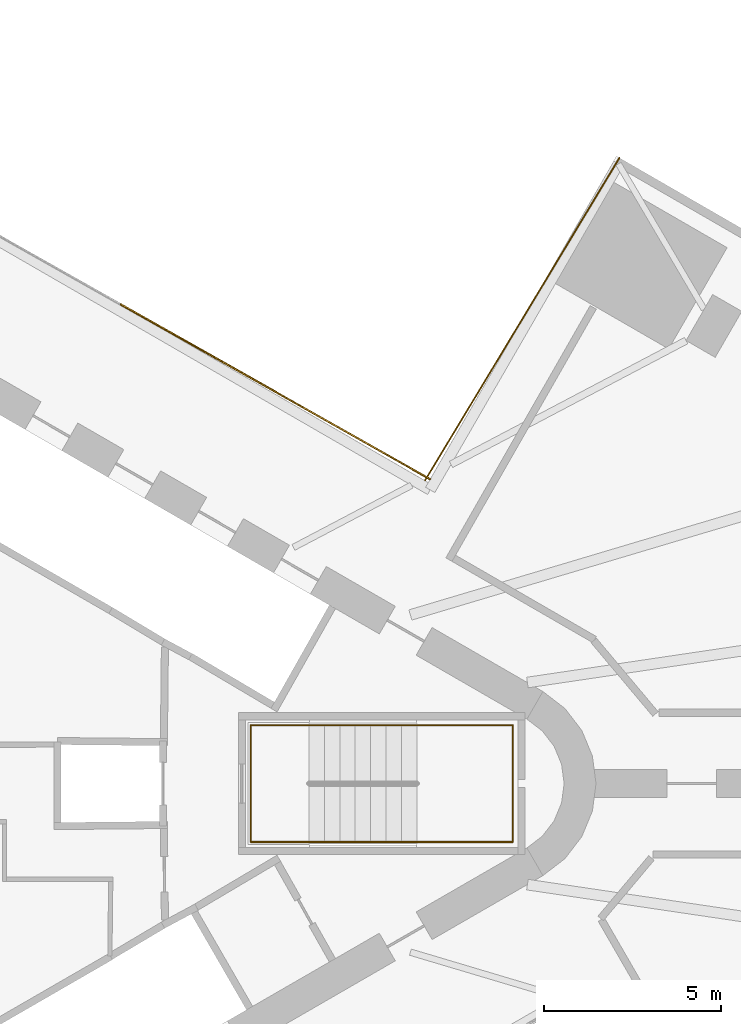
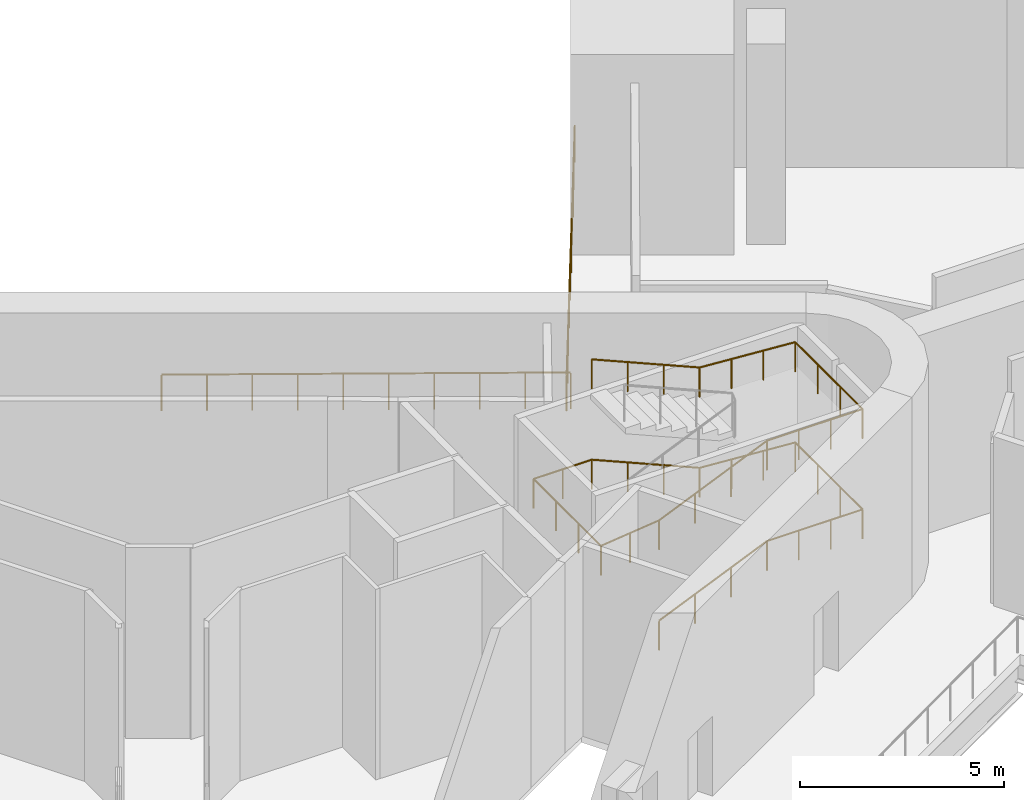
# One storey, part 11 of 11: 3 railings.
"""IFC4 building model written with IfcOpenShell, lengths in metres."""

from ifc_helpers import new_model, si_unit, direction, frame, origin, origin_2d, place, context, subcontext, project, spatial, circle, extrude, material, type_object, element, save


model = new_model("IFC4")

# Units and contexts
model_context = context("Model", 3, precision=1e-05, world=origin(), true_north=direction((0.0, 1.0)))
body_context = subcontext(model_context, "Body", "Model", "MODEL_VIEW")
ifc_project = project(units=[si_unit("LENGTHUNIT", "METRE"), si_unit("AREAUNIT", "SQUARE_METRE"), si_unit("VOLUMEUNIT", "CUBIC_METRE"), si_unit("PLANEANGLEUNIT", "RADIAN"), si_unit("MASSUNIT", "GRAM", prefix="KILO")], contexts=[model_context])

# Site, building, storey
site_placement = place(None, origin())
site = spatial("IfcSite", under=ifc_project, at=site_placement, CompositionType="ELEMENT")
building_placement = place(site_placement, origin())
building = spatial("IfcBuilding", under=site, at=building_placement, Name="Tanit Gate Tower", CompositionType="ELEMENT")
storey_placement = place(building_placement, frame((0.0, 0.0, 27.5)))
storey = spatial("IfcBuildingStorey", under=building, at=storey_placement, Name="L04", CompositionType="ELEMENT", Elevation=27.5)

# Railings
ifc_material_1 = material(Name="Stainless steel", Category="steel")
railing_type_1 = type_object("IfcRailingType", Name="Guard 1100 stainless steel balustrade", PredefinedType="GUARDRAIL", material=ifc_material_1)
railing_1_placement = place(storey_placement, frame((16.37353515625, 8.56005859375, 0.0)))
element("IfcRailing", 1, at=railing_1_placement, inside=storey, type_object=railing_type_1, Name="Tunnel edge guard L04 5", PredefinedType="GUARDRAIL", context=body_context, shape_type="SweptSolid", body=[
    extrude(circle(Radius=0.02392578125, at=origin_2d()), frame((0.0, 0.0, 1.076171875), z_axis=(0.516210356507, 0.856461830927, 0.0), x_axis=(-0.856461830927, 0.516210356507, 0.0)), (0.0, 0.0, 1.0), 10.630859375),
    extrude(circle(Radius=0.02099609375, at=origin_2d()), origin(), (0.0, 0.0, 1.0), 1.052001953125),
    extrude(circle(Radius=0.02099609375, at=origin_2d()), frame((0.60986328125, 1.01171875, 0.0)), (0.0, 0.0, 1.0), 1.052001953125),
    extrude(circle(Radius=0.02099609375, at=origin_2d()), frame((1.219482421875, 2.0234375, 0.0)), (0.0, 0.0, 1.0), 1.052001953125),
    extrude(circle(Radius=0.02099609375, at=origin_2d()), frame((1.829345703125, 3.034912109375, 0.0)), (0.0, 0.0, 1.0), 1.052001953125),
    extrude(circle(Radius=0.02099609375, at=origin_2d()), frame((2.43896484375, 4.046630859375, 0.0)), (0.0, 0.0, 1.0), 1.052001953125),
    extrude(circle(Radius=0.02099609375, at=origin_2d()), frame((3.048828125, 5.058349609375, 0.0)), (0.0, 0.0, 1.0), 1.052001953125),
    extrude(circle(Radius=0.02099609375, at=origin_2d()), frame((3.658447265625, 6.070068359375, 0.0)), (0.0, 0.0, 1.0), 1.052001953125),
    extrude(circle(Radius=0.02099609375, at=origin_2d()), frame((4.268310546875, 7.08154296875, 0.0)), (0.0, 0.0, 1.0), 1.052001953125),
    extrude(circle(Radius=0.02099609375, at=origin_2d()), frame((4.8779296875, 8.09326171875, 0.0)), (0.0, 0.0, 1.0), 1.052001953125),
    extrude(circle(Radius=0.02099609375, at=origin_2d()), frame((5.48779296875, 9.10498046875, 0.0)), (0.0, 0.0, 1.0), 1.052001953125),
])
railing_2_placement = place(storey_placement, frame((7.78271484375, 13.52685546875, 0.0)))
element("IfcRailing", 2, at=railing_2_placement, inside=storey, type_object=railing_type_1, Name="Tunnel edge guard L04 6", PredefinedType="GUARDRAIL", context=body_context, shape_type="SweptSolid", body=[
    extrude(circle(Radius=0.02392578125, at=origin_2d()), frame((0.0, 0.0, 1.076171875), z_axis=(0.870681662692, -0.491846970359, 0.0), x_axis=(0.491846970359, 0.870681662692, 0.0)), (0.0, 0.0, 1.0), 10.023681640625),
    extrude(circle(Radius=0.02099609375, at=origin_2d()), origin(), (0.0, 0.0, 1.0), 1.052001953125),
    extrude(circle(Radius=0.02099609375, at=origin_2d()), frame((0.9697265625, -0.5478515625, 0.0)), (0.0, 0.0, 1.0), 1.052001953125),
    extrude(circle(Radius=0.02099609375, at=origin_2d()), frame((1.939453125, -1.095703125, 0.0)), (0.0, 0.0, 1.0), 1.052001953125),
    extrude(circle(Radius=0.02099609375, at=origin_2d()), frame((2.9091796875, -1.643310546875, 0.0)), (0.0, 0.0, 1.0), 1.052001953125),
    extrude(circle(Radius=0.02099609375, at=origin_2d()), frame((3.87890625, -2.191162109375, 0.0)), (0.0, 0.0, 1.0), 1.052001953125),
    extrude(circle(Radius=0.02099609375, at=origin_2d()), frame((4.8486328125, -2.739013671875, 0.0)), (0.0, 0.0, 1.0), 1.052001953125),
    extrude(circle(Radius=0.02099609375, at=origin_2d()), frame((5.818359375, -3.286865234375, 0.0)), (0.0, 0.0, 1.0), 1.052001953125),
    extrude(circle(Radius=0.02099609375, at=origin_2d()), frame((6.7880859375, -3.83447265625, 0.0)), (0.0, 0.0, 1.0), 1.052001953125),
    extrude(circle(Radius=0.02099609375, at=origin_2d()), frame((7.7578125, -4.38232421875, 0.0)), (0.0, 0.0, 1.0), 1.052001953125),
    extrude(circle(Radius=0.02099609375, at=origin_2d()), frame((8.7275390625, -4.93017578125, 0.0)), (0.0, 0.0, 1.0), 1.052001953125),
])
ifc_material_2 = material(Name="Stainless steel handrail", Category="steel")
railing_type_2 = type_object("IfcRailingType", Name="INT-STAIR-HANDRAIL", PredefinedType="HANDRAIL", material=ifc_material_2)
railing_3_placement = place(storey_placement, frame((13.094970703125, -1.64990234375, 0.1875)))
element("IfcRailing", 3, at=railing_3_placement, inside=storey, type_object=railing_type_2, Name="L04 S1 stair handrail 1", PredefinedType="HANDRAIL", context=body_context, shape_type="SweptSolid", body=[
    extrude(circle(Radius=0.02392578125, at=origin_2d()), frame((0.0, 0.0, 0.8759765625), z_axis=(0.918608089886, 0.0, 0.395169808052), x_axis=(0.0, 1.0, 0.0)), (0.0, 0.0, 1.0), 3.3212890625),
    extrude(circle(Radius=0.02392578125, at=origin_2d()), frame((3.051025390625, 0.0, 2.1884765625), z_axis=(1.0, 0.0, 0.0), x_axis=(0.0, 1.0, 0.0)), (0.0, 0.0, 1.0), 2.7041015625),
    extrude(circle(Radius=0.02392578125, at=origin_2d()), frame((5.755126953125, 0.0, 2.1884765625), z_axis=(0.0, 1.0, 0.0), x_axis=(-1.0, 0.0, 0.0)), (0.0, 0.0, 1.0), 3.2998046875),
    extrude(circle(Radius=0.02392578125, at=origin_2d()), frame((5.755126953125, 3.2998046875, 2.1884765625), z_axis=(-0.997604677724, 0.0, 0.069173022074), x_axis=(0.0, -1.0, 0.0)), (0.0, 0.0, 1.0), 2.710693359375),
    extrude(circle(Radius=0.02392578125, at=origin_2d()), frame((3.051025390625, 3.2998046875, 2.3759765625), z_axis=(-0.918608089886, 0.0, 0.395169808052), x_axis=(0.0, -1.0, 0.0)), (0.0, 0.0, 1.0), 3.3212890625),
    extrude(circle(Radius=0.02392578125, at=origin_2d()), frame((0.0, 3.2998046875, 3.6884765625), z_axis=(-1.0, 0.0, 0.0), x_axis=(0.0, -1.0, 0.0)), (0.0, 0.0, 1.0), 1.64501953125),
    extrude(circle(Radius=0.02392578125, at=origin_2d()), frame((-1.64501953125, 3.2998046875, 3.6884765625), z_axis=(0.0, -1.0, 0.0), x_axis=(1.0, 0.0, 0.0)), (0.0, 0.0, 1.0), 3.2998046875),
    extrude(circle(Radius=0.02392578125, at=origin_2d()), frame((-1.64501953125, 0.0, 3.6884765625), z_axis=(0.99356684807, 0.0, 0.113247156325), x_axis=(0.0, 1.0, 0.0)), (0.0, 0.0, 1.0), 1.65576171875),
    extrude(circle(Radius=0.02392578125, at=origin_2d()), frame((0.0, 0.0, 3.8759765625), z_axis=(0.918608089886, 0.0, 0.395169808052), x_axis=(0.0, 1.0, 0.0)), (0.0, 0.0, 1.0), 3.3212890625),
    extrude(circle(Radius=0.02392578125, at=origin_2d()), frame((3.051025390625, 0.0, 5.1884765625), z_axis=(1.0, 0.0, 0.0), x_axis=(0.0, 1.0, 0.0)), (0.0, 0.0, 1.0), 2.7041015625),
    extrude(circle(Radius=0.02392578125, at=origin_2d()), frame((5.755126953125, 0.0, 5.1884765625), z_axis=(0.0, 1.0, 0.0), x_axis=(-1.0, 0.0, 0.0)), (0.0, 0.0, 1.0), 3.2998046875),
    extrude(circle(Radius=0.02392578125, at=origin_2d()), frame((5.755126953125, 3.2998046875, 5.1884765625), z_axis=(-0.997604677724, 0.0, 0.069173022074), x_axis=(0.0, -1.0, 0.0)), (0.0, 0.0, 1.0), 2.710693359375),
    extrude(circle(Radius=0.02392578125, at=origin_2d()), frame((3.051025390625, 3.2998046875, 5.3759765625), z_axis=(-0.918608089886, 0.0, 0.395169808052), x_axis=(0.0, -1.0, 0.0)), (0.0, 0.0, 1.0), 3.3212890625),
    extrude(circle(Radius=0.02099609375, at=origin_2d()), origin(), (0.0, 0.0, 1.0), 0.851806640625),
    extrude(circle(Radius=0.02099609375, at=origin_2d()), frame((1.01708984375, 0.0, 0.4375)), (0.0, 0.0, 1.0), 0.851806640625),
    extrude(circle(Radius=0.02099609375, at=origin_2d()), frame((2.033935546875, 0.0, 0.875)), (0.0, 0.0, 1.0), 0.851806640625),
    extrude(circle(Radius=0.02099609375, at=origin_2d()), frame((3.051025390625, 0.0, 1.3125)), (0.0, 0.0, 1.0), 0.851806640625),
    extrude(circle(Radius=0.02099609375, at=origin_2d()), frame((3.952392578125, 0.0, 1.3125)), (0.0, 0.0, 1.0), 0.851806640625),
    extrude(circle(Radius=0.02099609375, at=origin_2d()), frame((4.853759765625, 0.0, 1.3125)), (0.0, 0.0, 1.0), 0.851806640625),
    extrude(circle(Radius=0.02099609375, at=origin_2d()), frame((5.755126953125, 0.0, 1.3125)), (0.0, 0.0, 1.0), 0.851806640625),
    extrude(circle(Radius=0.02099609375, at=origin_2d()), frame((5.755126953125, 1.099853515625, 1.3125)), (0.0, 0.0, 1.0), 0.851806640625),
    extrude(circle(Radius=0.02099609375, at=origin_2d()), frame((5.755126953125, 2.199951171875, 1.3125)), (0.0, 0.0, 1.0), 0.851806640625),
    extrude(circle(Radius=0.02099609375, at=origin_2d()), frame((5.755126953125, 3.2998046875, 1.3125)), (0.0, 0.0, 1.0), 0.851806640625),
    extrude(circle(Radius=0.02099609375, at=origin_2d()), frame((4.853759765625, 3.2998046875, 1.375)), (0.0, 0.0, 1.0), 0.851806640625),
    extrude(circle(Radius=0.02099609375, at=origin_2d()), frame((3.952392578125, 3.2998046875, 1.4375)), (0.0, 0.0, 1.0), 0.851806640625),
    extrude(circle(Radius=0.02099609375, at=origin_2d()), frame((3.051025390625, 3.2998046875, 1.5)), (0.0, 0.0, 1.0), 0.851806640625),
    extrude(circle(Radius=0.02099609375, at=origin_2d()), frame((2.033935546875, 3.2998046875, 1.9375)), (0.0, 0.0, 1.0), 0.851806640625),
    extrude(circle(Radius=0.02099609375, at=origin_2d()), frame((1.01708984375, 3.2998046875, 2.375)), (0.0, 0.0, 1.0), 0.851806640625),
    extrude(circle(Radius=0.02099609375, at=origin_2d()), frame((0.0, 3.2998046875, 2.8125)), (0.0, 0.0, 1.0), 0.851806640625),
    extrude(circle(Radius=0.02099609375, at=origin_2d()), frame((-0.822509765625, 3.2998046875, 2.8125)), (0.0, 0.0, 1.0), 0.851806640625),
    extrude(circle(Radius=0.02099609375, at=origin_2d()), frame((-1.64501953125, 3.2998046875, 2.8125)), (0.0, 0.0, 1.0), 0.851806640625),
    extrude(circle(Radius=0.02099609375, at=origin_2d()), frame((-1.64501953125, 2.199951171875, 2.8125)), (0.0, 0.0, 1.0), 0.851806640625),
    extrude(circle(Radius=0.02099609375, at=origin_2d()), frame((-1.64501953125, 1.099853515625, 2.8125)), (0.0, 0.0, 1.0), 0.851806640625),
    extrude(circle(Radius=0.02099609375, at=origin_2d()), frame((-1.64501953125, 0.0, 2.8125)), (0.0, 0.0, 1.0), 0.851806640625),
    extrude(circle(Radius=0.02099609375, at=origin_2d()), frame((-0.822509765625, 0.0, 2.90625)), (0.0, 0.0, 1.0), 0.851806640625),
    extrude(circle(Radius=0.02099609375, at=origin_2d()), frame((0.0, 0.0, 3.0)), (0.0, 0.0, 1.0), 0.851806640625),
    extrude(circle(Radius=0.02099609375, at=origin_2d()), frame((1.01708984375, 0.0, 3.4375)), (0.0, 0.0, 1.0), 0.851806640625),
    extrude(circle(Radius=0.02099609375, at=origin_2d()), frame((2.033935546875, 0.0, 3.875)), (0.0, 0.0, 1.0), 0.851806640625),
    extrude(circle(Radius=0.02099609375, at=origin_2d()), frame((3.051025390625, 0.0, 4.3125)), (0.0, 0.0, 1.0), 0.851806640625),
    extrude(circle(Radius=0.02099609375, at=origin_2d()), frame((3.952392578125, 0.0, 4.3125)), (0.0, 0.0, 1.0), 0.851806640625),
    extrude(circle(Radius=0.02099609375, at=origin_2d()), frame((4.853759765625, 0.0, 4.3125)), (0.0, 0.0, 1.0), 0.851806640625),
    extrude(circle(Radius=0.02099609375, at=origin_2d()), frame((5.755126953125, 0.0, 4.3125)), (0.0, 0.0, 1.0), 0.851806640625),
    extrude(circle(Radius=0.02099609375, at=origin_2d()), frame((5.755126953125, 1.099853515625, 4.3125)), (0.0, 0.0, 1.0), 0.851806640625),
    extrude(circle(Radius=0.02099609375, at=origin_2d()), frame((5.755126953125, 2.199951171875, 4.3125)), (0.0, 0.0, 1.0), 0.851806640625),
    extrude(circle(Radius=0.02099609375, at=origin_2d()), frame((5.755126953125, 3.2998046875, 4.3125)), (0.0, 0.0, 1.0), 0.851806640625),
    extrude(circle(Radius=0.02099609375, at=origin_2d()), frame((4.853759765625, 3.2998046875, 4.375)), (0.0, 0.0, 1.0), 0.851806640625),
    extrude(circle(Radius=0.02099609375, at=origin_2d()), frame((3.952392578125, 3.2998046875, 4.4375)), (0.0, 0.0, 1.0), 0.851806640625),
    extrude(circle(Radius=0.02099609375, at=origin_2d()), frame((3.051025390625, 3.2998046875, 4.5)), (0.0, 0.0, 1.0), 0.851806640625),
    extrude(circle(Radius=0.02099609375, at=origin_2d()), frame((2.033935546875, 3.2998046875, 4.9375)), (0.0, 0.0, 1.0), 0.851806640625),
    extrude(circle(Radius=0.02099609375, at=origin_2d()), frame((1.01708984375, 3.2998046875, 5.375)), (0.0, 0.0, 1.0), 0.851806640625),
    extrude(circle(Radius=0.02099609375, at=origin_2d()), frame((0.0, 3.2998046875, 5.8125)), (0.0, 0.0, 1.0), 0.851806640625),
])

save(model, "model.ifc")
